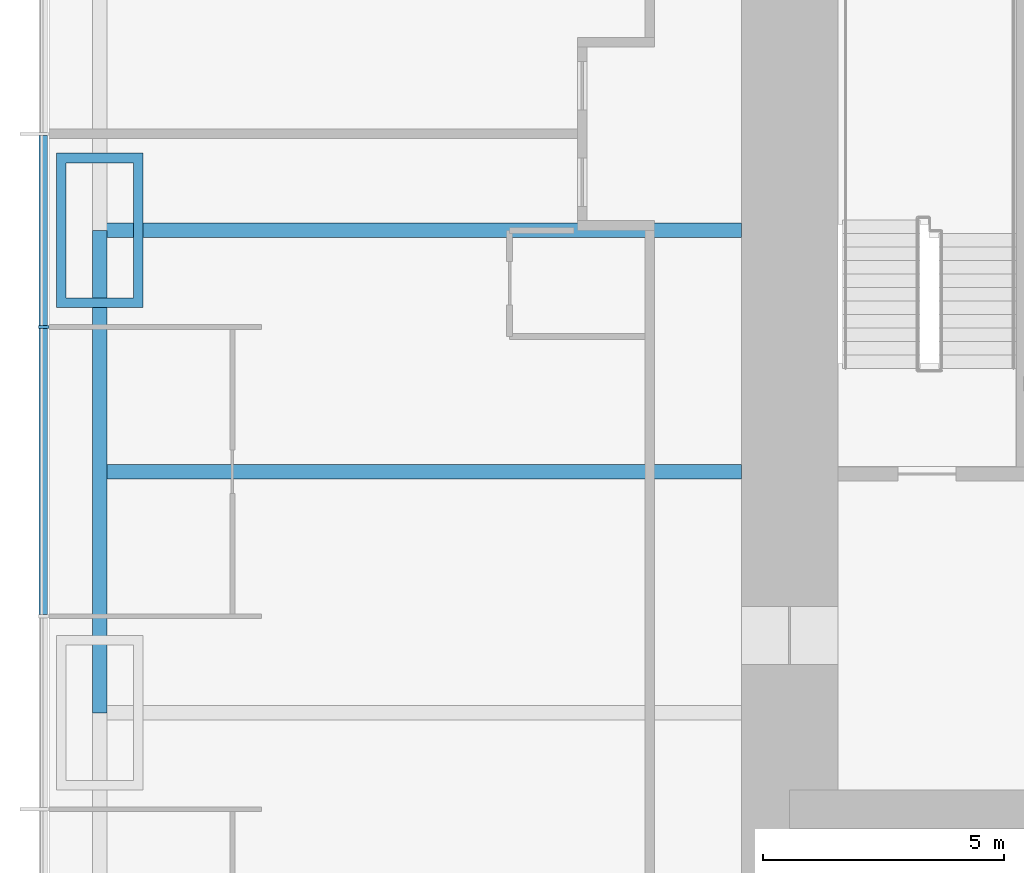
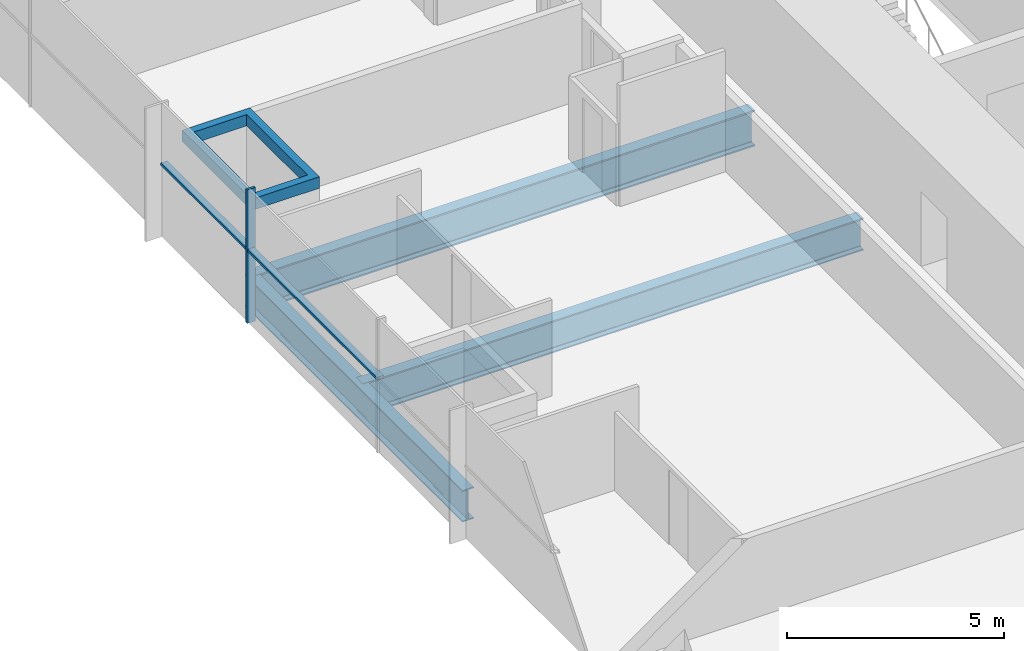
# One storey, part 3 of 17: 4 members, 3 beams, 1 element without a shape of its own.
"""IFC4 building model written with IfcOpenShell, lengths in metres."""

import ifcopenshell
import ifcopenshell.guid

model = None  # the IFC model being written
_history = None  # IfcOwnerHistory: only IFC2X3 demands one
_inside = {}  # id of a spatial element -> (the spatial element, [elements in it])
_under = {}  # id of a project, library or spatial element -> (it, [spatial elements below it])
_declared = {}  # id of a project -> (the project, [libraries it declares])
_typed = {}  # id of a type object -> (the type object, [elements of that type])
_made_of = {}  # id of a material, layer set ... -> (it, [elements and type objects made of it])


def new_model(schema):
    """Start an empty IFC model of exactly this schema.

    Asked for "IFC4X3", IfcOpenShell would pick the latest addendum, in which some entities
    have other attributes; the version numbers below select the first issue.
    IFC2X3 requires an IfcOwnerHistory on every rooted entity: one is made here for all.
    """
    global model, _history
    if schema == "IFC4X3":
        model = ifcopenshell.file(schema_version=(4, 3, 0, 0))
    else:
        model = ifcopenshell.file(schema=schema)
    _inside.clear()
    _under.clear()
    _declared.clear()
    _typed.clear()
    _made_of.clear()
    _history = None
    if model.schema == "IFC2X3":
        org = make("IfcOrganization", Name="unknown")
        user = make(
            "IfcPersonAndOrganization",
            ThePerson=make("IfcPerson", FamilyName="unknown"),
            TheOrganization=org,
        )
        app = make(
            "IfcApplication",
            ApplicationDeveloper=org,
            Version="unknown",
            ApplicationFullName="unknown",
            ApplicationIdentifier="unknown",
        )
        _history = make(
            "IfcOwnerHistory",
            OwningUser=user,
            OwningApplication=app,
            ChangeAction="ADDED",
            CreationDate=0,
        )
    return model


def make(cls, **values):
    """One entity of the class cls with the attributes given. An attribute that is None is left unset."""
    return model.create_entity(
        cls, **{name: value for name, value in values.items() if value is not None}
    )


def rooted(cls, **values):
    """An entity with a GlobalId (a new one), such as an element, a storey or a relation."""
    return make(cls, GlobalId=ifcopenshell.guid.new(), OwnerHistory=_history, **values)


def si_unit(unit_type, name, prefix=None):
    """IfcSIUnit, for example si_unit("LENGTHUNIT", "METRE", prefix="MILLI")."""
    return make("IfcSIUnit", UnitType=unit_type, Prefix=prefix, Name=name)


def assignment(units):
    """IfcUnitAssignment: the units of a project."""
    return None if units is None else make("IfcUnitAssignment", Units=units)


def point(xyz):
    """IfcCartesianPoint."""
    return None if xyz is None else make("IfcCartesianPoint", Coordinates=xyz)


def direction(xyz):
    """IfcDirection."""
    return None if xyz is None else make("IfcDirection", DirectionRatios=xyz)


def frame(location, z_axis=None, x_axis=None):
    """IfcAxis2Placement3D, a coordinate frame: its origin and axes. An axis left out is left unset."""
    return make(
        "IfcAxis2Placement3D",
        Location=point(location),
        Axis=direction(z_axis),
        RefDirection=direction(x_axis),
    )


def frame_2d(location, x_axis=None):
    """IfcAxis2Placement2D, a coordinate frame in the plane: its origin and x axis."""
    return make(
        "IfcAxis2Placement2D", Location=point(location), RefDirection=direction(x_axis)
    )


def origin():
    """The frame at (0, 0, 0) with its axes left unset."""
    return frame((0.0, 0.0, 0.0))


def origin_2d():
    """The frame at (0, 0) in the plane with its x axis left unset."""
    return frame_2d((0.0, 0.0))


def place(relative_to, where):
    """IfcLocalPlacement: puts the frame where relative to a parent placement (None: the world)."""
    return make(
        "IfcLocalPlacement", PlacementRelTo=relative_to, RelativePlacement=where
    )


def context(
    kind, dimensions, precision=None, world=None, true_north=None, identifier=None
):
    """IfcGeometricRepresentationContext, for example the 3D "Model" context."""
    return make(
        "IfcGeometricRepresentationContext",
        ContextIdentifier=identifier,
        ContextType=kind,
        CoordinateSpaceDimension=dimensions,
        Precision=precision,
        WorldCoordinateSystem=world,
        TrueNorth=true_north,
    )


def subcontext(parent, identifier, kind, view, scale=None):
    """IfcGeometricRepresentationSubContext, for example "Body" below "Model"."""
    return make(
        "IfcGeometricRepresentationSubContext",
        ContextIdentifier=identifier,
        ContextType=kind,
        ParentContext=parent,
        TargetScale=scale,
        TargetView=view,
    )


def project(units=None, contexts=None):
    """IfcProject with its units and contexts."""
    return rooted(
        "IfcProject",
        Name="project",
        RepresentationContexts=contexts,
        UnitsInContext=assignment(units),
    )


def spatial(cls, under=None, at=None, **own):
    """A site, building, storey or space (cls), placed at a placement, below another one or the project."""
    s = rooted(cls, ObjectPlacement=at, **own)
    if under is not None:
        _under.setdefault(under.id(), (under, []))[1].append(s)
    return s


def profile(cls, at=None, kind="AREA", **sizes):
    """A parametric profile (cls). Its sizes go by their IFC names, for example OverallWidth=200.0."""
    return make(cls, ProfileType=kind, Position=at, **sizes)


def rectangle(**sizes):
    """IfcRectangleProfileDef."""
    return profile("IfcRectangleProfileDef", **sizes)


def hollow_rectangle(**sizes):
    """IfcRectangleHollowProfileDef."""
    return profile("IfcRectangleHollowProfileDef", **sizes)


def i_section(**sizes):
    """IfcIShapeProfileDef."""
    return profile("IfcIShapeProfileDef", **sizes)


def extrude(swept, where, along, depth):
    """IfcExtrudedAreaSolid: the profile swept, set in the frame where, extruded along a direction by depth."""
    return make(
        "IfcExtrudedAreaSolid",
        SweptArea=swept,
        Position=where,
        ExtrudedDirection=direction(along),
        Depth=depth,
    )


def shape(context_of_items, identifier, shape_type, items):
    """IfcShapeRepresentation: the items that make up one representation, for example the "Body"."""
    return make(
        "IfcShapeRepresentation",
        ContextOfItems=context_of_items,
        RepresentationIdentifier=identifier,
        RepresentationType=shape_type,
        Items=items,
    )


def material(Name=None, Category=None):
    """IfcMaterial."""
    return make("IfcMaterial", Name=Name, Category=Category)


def material_profile(
    of_material, cross_section, Name=None, Category=None, Priority=None
):
    """IfcMaterialProfile: a cross section and its material."""
    return make(
        "IfcMaterialProfile",
        Name=Name,
        Material=of_material,
        Profile=cross_section,
        Priority=Priority,
        Category=Category,
    )


def profile_set(profiles, Name=None, composite=None):
    """IfcMaterialProfileSet."""
    return make(
        "IfcMaterialProfileSet",
        Name=Name,
        MaterialProfiles=profiles,
        CompositeProfile=composite,
    )


def made_of(thing, what):
    """Note that an element or type object is made of a material, layer set ...; save() writes the relation."""
    if what is not None:
        _made_of.setdefault(what.id(), (what, []))[1].append(thing)
    return thing


def type_object(cls, material=None, **own):
    """A type object (cls), such as IfcWallType, which elements share."""
    return made_of(rooted(cls, **own), material)


def element(
    cls,
    number,
    at=None,
    inside=None,
    cuts=None,
    type_object=None,
    material=None,
    context=None,
    identifier="Body",
    shape_type=None,
    held_by="IfcProductDefinitionShape",
    body=None,
    shapes=None,
    **own,
):
    """One element of the class cls, such as IfcWall. Its Tag is "e" and its number.

    at: its placement. inside: the storey or other place that contains it. cuts: it is an
    opening in that element (IfcRelVoidsElement). A single representation is given by context,
    identifier, shape_type and body (its items); several are given by shapes. held_by: the class
    of the entity that holds the representations. save() writes the other relations.
    """
    e = rooted(cls, Tag="e%d" % number, ObjectPlacement=at, **own)
    if body is not None:
        shapes = [shape(context, identifier, shape_type, body)]
    if shapes is not None:
        e.Representation = make(held_by, Representations=shapes)
    if inside is not None:
        _inside.setdefault(inside.id(), (inside, []))[1].append(e)
    if cuts is not None:
        rooted(
            "IfcRelVoidsElement", RelatingBuildingElement=cuts, RelatedOpeningElement=e
        )
    if type_object is not None:
        _typed.setdefault(type_object.id(), (type_object, []))[1].append(e)
    return made_of(e, material)


def aggregate(whole, parts):
    """IfcRelAggregates: a whole, such as a stair, and the parts it consists of."""
    return rooted("IfcRelAggregates", RelatingObject=whole, RelatedObjects=parts)


def save(model, path):
    """Write the relations noted so far, then the file.

    IfcRelAggregates (storeys below a building ...), IfcRelContainedInSpatialStructure (elements
    in a storey), IfcRelDefinesByType, IfcRelAssociatesMaterial and IfcRelDeclares: one each for
    every whole, place, type object, material and project.
    """
    for whole, parts in _under.values():
        aggregate(whole, parts)
    for where, things in _inside.values():
        rooted(
            "IfcRelContainedInSpatialStructure",
            RelatedElements=things,
            RelatingStructure=where,
        )
    for kind, things in _typed.values():
        rooted("IfcRelDefinesByType", RelatedObjects=things, RelatingType=kind)
    for what, things in _made_of.values():
        rooted("IfcRelAssociatesMaterial", RelatedObjects=things, RelatingMaterial=what)
    for by, libraries in _declared.values():
        rooted("IfcRelDeclares", RelatingContext=by, RelatedDefinitions=libraries)
    model.write(path)


model = new_model("IFC4")

# Units and contexts
model_context = context("Model", 3, precision=1e-05, world=origin(), true_north=direction((0.0, 1.0)))
body_context = subcontext(model_context, "Body", "Model", "MODEL_VIEW")
ifc_project = project(units=[si_unit("LENGTHUNIT", "METRE"), si_unit("AREAUNIT", "SQUARE_METRE"), si_unit("VOLUMEUNIT", "CUBIC_METRE"), si_unit("PLANEANGLEUNIT", "RADIAN"), si_unit("MASSUNIT", "GRAM", prefix="KILO")], contexts=[model_context])

# Site, building, storey
site_placement = place(None, origin())
site = spatial("IfcSite", under=ifc_project, at=site_placement, CompositionType="ELEMENT")
building_placement = place(site_placement, origin())
building = spatial("IfcBuilding", under=site, at=building_placement, Name="Khuree Lantern Residences", CompositionType="ELEMENT")
storey_placement = place(building_placement, frame((0.0, 0.0, 96.0)))
storey = spatial("IfcBuildingStorey", under=building, at=storey_placement, Name="L24", CompositionType="ELEMENT", Elevation=96.0)

# Beams
ifc_material_1 = material(Name="Steel S355", Category="steel")
ifc_material_profile_1 = material_profile(ifc_material_1, i_section(OverallWidth=0.300048828125, OverallDepth=0.89990234375, WebThickness=0.0185546875, FlangeThickness=0.034912109375, FilletRadius=0.030029296875, at=origin_2d()), Name="HE 900 B")
ifc_profile_set_1 = profile_set([ifc_material_profile_1], Name="Steel S355")
beam_type_1 = type_object("IfcBeamType", Name="B-15A SECONDARY BEAM HE 900 B", PredefinedType="BEAM", material=ifc_profile_set_1)
beam_1_placement = place(storey_placement, frame((-29.800048828125, -5.0, -0.699951171875), z_axis=(1.0, 0.0, 0.0), x_axis=(0.0, 1.0, 0.0)))
element("IfcBeam", 1, at=beam_1_placement, inside=storey, type_object=beam_type_1, Name="Secondary beam W3", PredefinedType="BEAM", context=body_context, shape_type="SweptSolid", body=[
    extrude(i_section(OverallWidth=0.300048828125, OverallDepth=0.89990234375, WebThickness=0.0185546875, FlangeThickness=0.034912109375, FilletRadius=0.030029296875, at=origin_2d()), origin(), (0.0, 0.0, 1.0), 13.300048828125),
])
ifc_material_profile_2 = material_profile(ifc_material_1, i_section(OverallWidth=0.300048828125, OverallDepth=0.889892578125, WebThickness=0.01611328125, FlangeThickness=0.030029296875, FilletRadius=0.030029296875, at=origin_2d()), Name="HE 900 A")
ifc_profile_set_2 = profile_set([ifc_material_profile_2], Name="Steel S355")
beam_type_2 = type_object("IfcBeamType", Name="E-15A SPANDREL BEAM HE 900 A", PredefinedType="SPANDREL", material=ifc_profile_set_2)
beam_2_placement = place(storey_placement, frame((-29.800048828125, -10.0, -0.695068359375), z_axis=(0.0, 1.0, 0.0), x_axis=(-1.0, 0.0, 0.0)))
element("IfcBeam", 2, at=beam_2_placement, inside=storey, type_object=beam_type_2, Name="Spandrel beam W3", PredefinedType="SPANDREL", context=body_context, shape_type="SweptSolid", body=[
    extrude(i_section(OverallWidth=0.300048828125, OverallDepth=0.889892578125, WebThickness=0.01611328125, FlangeThickness=0.030029296875, FilletRadius=0.030029296875, at=origin_2d()), origin(), (0.0, 0.0, 1.0), 10.0),
])
ifc_material_profile_3 = material_profile(ifc_material_1, i_section(OverallWidth=0.302001953125, OverallDepth=1.008056640625, WebThickness=0.02099609375, FlangeThickness=0.0400390625, FilletRadius=0.030029296875, at=origin_2d()), Name="HE 1000 M")
ifc_profile_set_3 = profile_set([ifc_material_profile_3], Name="Steel S355")
beam_type_3 = type_object("IfcBeamType", Name="G-15 GIRDER HE 1000 M", PredefinedType="BEAM", material=ifc_profile_set_3)
beam_3_placement = place(storey_placement, frame((-29.800048828125, 0.0, -0.75390625), z_axis=(1.0, 0.0, 0.0), x_axis=(0.0, 1.0, 0.0)))
element("IfcBeam", 3, at=beam_3_placement, inside=storey, type_object=beam_type_3, Name="Girder W3", PredefinedType="BEAM", context=body_context, shape_type="SweptSolid", body=[
    extrude(i_section(OverallWidth=0.302001953125, OverallDepth=1.008056640625, WebThickness=0.02099609375, FlangeThickness=0.0400390625, FilletRadius=0.030029296875, at=origin_2d()), origin(), (0.0, 0.0, 1.0), 13.300048828125),
])

# Curtain wall, member
ifc_material_2 = material(Name="Bronze anodised aluminium", Category="aluminium")
curtain_wall_type = type_object("IfcCurtainWallType", Name="CW-T1 TOWER FACE CURTAIN WALL", PredefinedType="USERDEFINED", material=ifc_material_2)
curtain_wall_placement = place(storey_placement, origin())
curtain_wall = element("IfcCurtainWall", 4, at=curtain_wall_placement, inside=storey, type_object=curtain_wall_type, Name="L24 WEST FACE CURTAIN WALL", ObjectType="Stick-built curtain wall", PredefinedType="USERDEFINED")
ifc_material_profile_4 = material_profile(ifc_material_2, rectangle(XDim=0.06494140625, YDim=0.219970703125, at=origin_2d()), Name="M1 65X220")
ifc_profile_set_4 = profile_set([ifc_material_profile_4], Name="Bronze anodised aluminium")
member_type_1 = type_object("IfcMemberType", Name="M1 BRONZE MULLION TOWER 65X220", PredefinedType="MULLION", material=ifc_profile_set_4)
member_1_placement = place(storey_placement, frame((-30.9599609375, -2.0, 0.0), z_axis=(0.0, 0.0, 1.0), x_axis=(0.0, -1.0, 0.0)))
member_1 = element("IfcMember", 5, at=member_1_placement, type_object=member_type_1, Name="L24 WEST FACE MULLION 38", PredefinedType="MULLION", context=body_context, shape_type="SweptSolid", body=[
    extrude(rectangle(XDim=0.06494140625, YDim=0.219970703125, at=origin_2d()), origin(), (0.0, 0.0, 1.0), 3.75),
])

# Member
ifc_material_3 = material(Name="Steel S355 CFT welded box", Category="steel")
ifc_material_profile_5 = material_profile(ifc_material_3, hollow_rectangle(XDim=3.199951171875, YDim=1.800048828125, WallThickness=0.199951171875, at=origin_2d()), Name="WELDED BOX 3200X1800X200")
ifc_profile_set_5 = profile_set([ifc_material_profile_5], Name="Steel S355 CFT welded box")
member_type_2 = type_object("IfcMemberType", Name="MN MEGA COLUMN NODE WELDED BOX 3200X1800X200", PredefinedType="MEMBER", material=ifc_profile_set_5)
member_2_placement = place(storey_placement, frame((-29.800048828125, 0.0, 2.780029296875), z_axis=(0.0, 0.0, 1.0), x_axis=(0.0, 1.0, 0.0)))
element("IfcMember", 6, at=member_2_placement, inside=storey, type_object=member_type_2, Name="Mega column node W3", PredefinedType="MEMBER", context=body_context, shape_type="SweptSolid", body=[
    extrude(hollow_rectangle(XDim=3.199951171875, YDim=1.800048828125, WallThickness=0.199951171875, at=origin_2d()), origin(), (0.0, 0.0, 1.0), 0.320068359375),
])

ifc_material_profile_6 = material_profile(ifc_material_2, rectangle(XDim=0.179931640625, YDim=0.06494140625, at=origin_2d()), Name="T1 180X65")
ifc_profile_set_6 = profile_set([ifc_material_profile_6], Name="Bronze anodised aluminium")
member_type_3 = type_object("IfcMemberType", Name="TRANSOM T1 TOWER 180X65", PredefinedType="USERDEFINED", material=ifc_profile_set_6)
member_3_placement = place(storey_placement, frame((-30.969970703125, 1.967529296875, 2.050048828125), z_axis=(0.0, -1.0, 0.0), x_axis=(1.0, 0.0, 0.0)))
member_3 = element("IfcMember", 7, at=member_3_placement, type_object=member_type_3, Name="L24 WEST FACE TRANSOM 37.1", ObjectType="Transom", PredefinedType="USERDEFINED", context=body_context, shape_type="SweptSolid", body=[
    extrude(rectangle(XDim=0.179931640625, YDim=0.06494140625, at=origin_2d()), origin(), (0.0, 0.0, 1.0), 3.93505859375),
])

member_4_placement = place(storey_placement, frame((-30.969970703125, -2.032470703125, 2.050048828125), z_axis=(0.0, -1.0, 0.0), x_axis=(1.0, 0.0, 0.0)))
member_4 = element("IfcMember", 8, at=member_4_placement, type_object=member_type_3, Name="L24 WEST FACE TRANSOM 38.1", ObjectType="Transom", PredefinedType="USERDEFINED", context=body_context, shape_type="SweptSolid", body=[
    extrude(rectangle(XDim=0.179931640625, YDim=0.06494140625, at=origin_2d()), origin(), (0.0, 0.0, 1.0), 5.93505859375),
])

aggregate(curtain_wall, [member_1, member_3, member_4])

save(model, "model.ifc")
